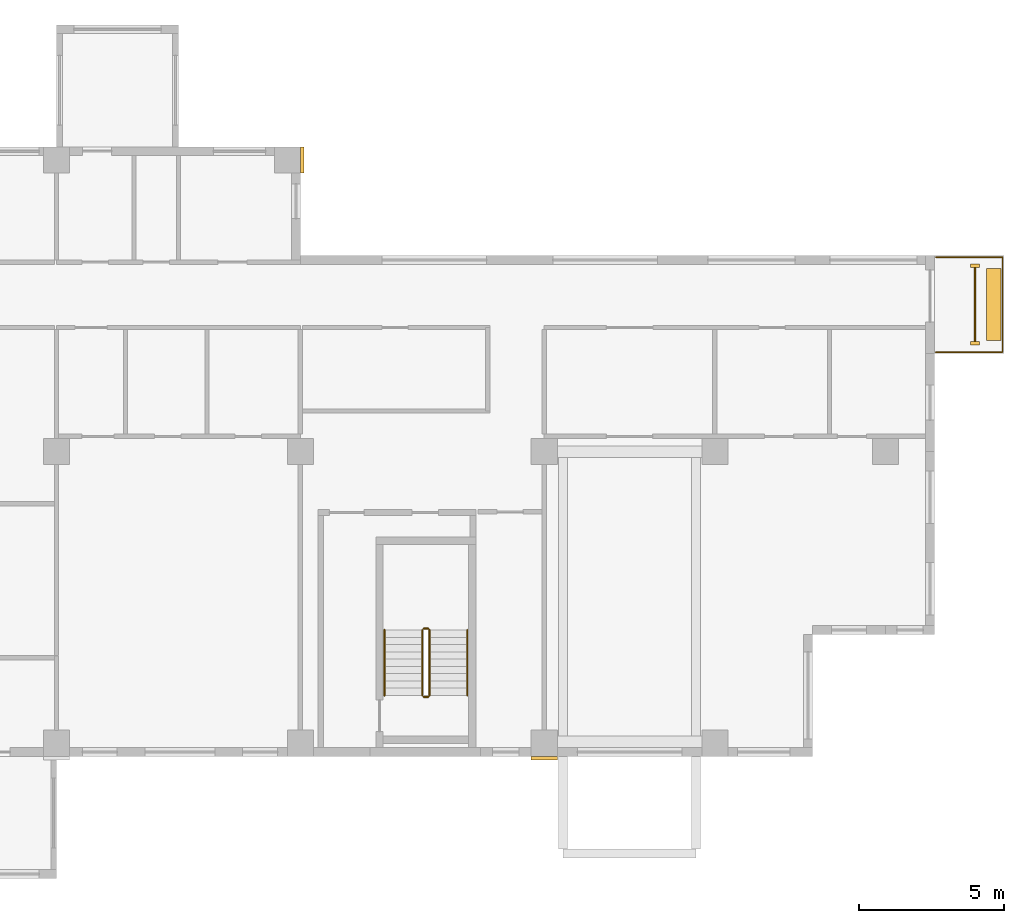
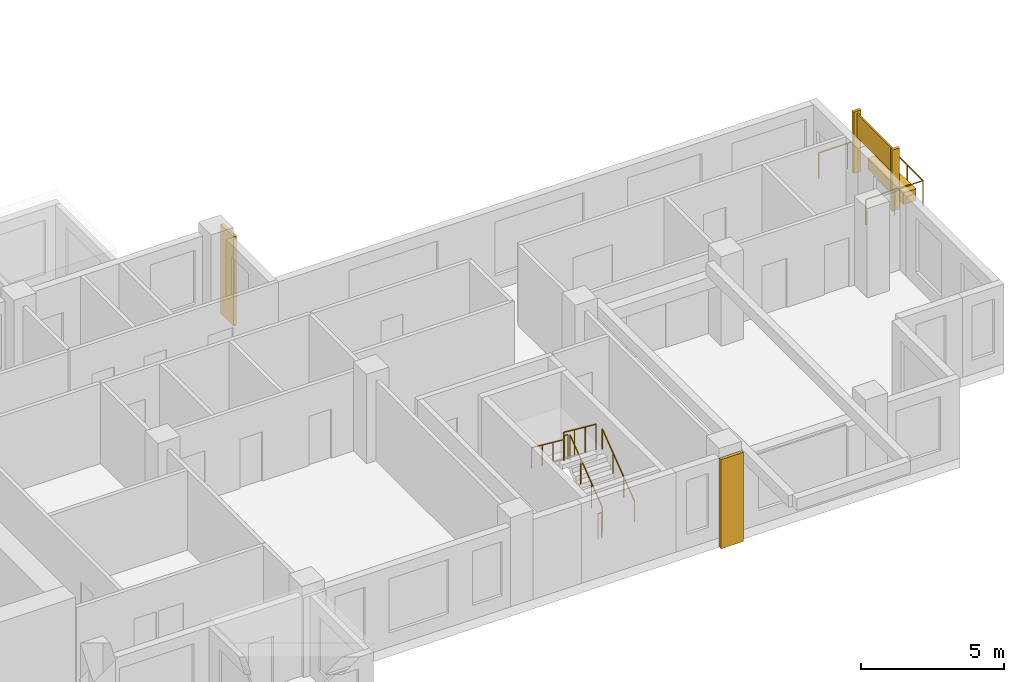
# One storey, part 11 of 12: 7 railings, 6 coverings.
"""IFC4 building model written with IfcOpenShell, lengths in metres."""

from ifc_helpers import new_model, si_unit, direction, frame, origin, origin_2d, place, context, subcontext, project, spatial, rectangle, circle, extrude, source, transform, mapped, material, type_object, element, save


model = new_model("IFC4")

# Units and contexts
model_context = context("Model", 3, precision=1e-05, world=origin(), true_north=direction((0.0, 1.0)))
body_context = subcontext(model_context, "Body", "Model", "MODEL_VIEW")
ifc_project = project(units=[si_unit("LENGTHUNIT", "METRE"), si_unit("AREAUNIT", "SQUARE_METRE"), si_unit("VOLUMEUNIT", "CUBIC_METRE"), si_unit("PLANEANGLEUNIT", "RADIAN"), si_unit("MASSUNIT", "GRAM", prefix="KILO")], contexts=[model_context])

# Site, building, storey
site_placement = place(None, origin())
site = spatial("IfcSite", under=ifc_project, at=site_placement, CompositionType="ELEMENT")
building_placement = place(site_placement, origin())
building = spatial("IfcBuilding", under=site, at=building_placement, Name="Aurelian Terraces", CompositionType="ELEMENT")
storey_placement = place(building_placement, frame((0.0, 0.0, 196.8)))
storey = spatial("IfcBuildingStorey", under=building, at=storey_placement, Name="L43", CompositionType="ELEMENT", Elevation=196.8)

# Coverings
ifc_material_1 = material(Name="Terracotta rainscreen cladding relief", Category="masonry")
covering_type_1 = type_object("IfcCoveringType", Name="FIN-TC", PredefinedType="CLADDING", material=ifc_material_1)
shared_shape_1 = source(origin(), body_context, "Body", "SweptSolid", [
    extrude(rectangle(XDim=0.3, YDim=0.12, at=origin_2d()), origin(), (0.0, 0.0, 1.0), 2.6),
])
for number, where, z_axis, x_axis, name in (
    (1, (61.04, 14.225, 0.0), (0.0, 0.0, 1.0), (1.0, 0.0, 0.0), "FIN L43 L43-F04-13.1"),
    (2, (61.04, 16.9, 0.0), (0.0, 0.0, 1.0), (1.0, 0.0, 0.0), "FIN L43 L43-F04-13.2"),
):
    element("IfcCovering", number, at=place(storey_placement, frame(where, z_axis=z_axis, x_axis=x_axis)), inside=storey, type_object=covering_type_1, Name=name, PredefinedType="CLADDING", context=body_context, shape_type="MappedRepresentation", body=[
        mapped(shared_shape_1, transform((0.0, 0.0, 0.0), scale=1.0)),
    ])
covering_type_2 = type_object("IfcCoveringType", Name="BAGUETTE-TC", PredefinedType="CLADDING", material=ifc_material_1)
shared_shape_2 = source(origin(), body_context, "Body", "SweptSolid", [
    extrude(rectangle(XDim=0.9, YDim=0.12, at=origin_2d()), origin(), (0.0, 0.0, 1.0), 3.8),
])
covering_1_placement = place(storey_placement, frame((46.2, -0.06, -0.4), z_axis=(0.0, 0.0, 1.0), x_axis=(1.0, 0.0, 0.0)))
element("IfcCovering", 3, at=covering_1_placement, inside=storey, type_object=covering_type_2, Name="BAGUETTE pier L43 3", PredefinedType="CLADDING", context=body_context, shape_type="MappedRepresentation", body=[
    mapped(shared_shape_2, transform((0.0, 0.0, 0.0), scale=1.0)),
])
shared_shape_3 = source(origin(), body_context, "Body", "SweptSolid", [
    extrude(rectangle(XDim=0.12, YDim=0.9, at=origin_2d()), origin(), (0.0, 0.0, 1.0), 3.8),
])
covering_2_placement = place(storey_placement, frame((37.86, 20.55, -0.4), z_axis=(0.0, 0.0, 1.0), x_axis=(1.0, 0.0, 0.0)))
element("IfcCovering", 4, at=covering_2_placement, inside=storey, type_object=covering_type_2, Name="BAGUETTE pier L43 6", PredefinedType="CLADDING", context=body_context, shape_type="MappedRepresentation", body=[
    mapped(shared_shape_3, transform((0.0, 0.0, 0.0), scale=1.0)),
])

# Railing
ifc_material_2 = material(Name="Anodised aluminium", Category="aluminium")
railing_type_1 = type_object("IfcRailingType", Name="GUARD-1100", PredefinedType="GUARDRAIL", material=ifc_material_2)
shared_shape_4 = source(origin(), body_context, "Body", "SweptSolid", [
    extrude(circle(Radius=0.024, at=origin_2d()), frame((0.0, 0.0, 1.076), z_axis=(1.0, 0.0, 0.0), x_axis=(0.0, 1.0, 0.0)), (0.0, 0.0, 1.0), 2.3),
    extrude(circle(Radius=0.024, at=origin_2d()), frame((2.3, 0.0, 1.076), z_axis=(0.0, 1.0, 0.0), x_axis=(-1.0, 0.0, 0.0)), (0.0, 0.0, 1.0), 3.275),
    extrude(circle(Radius=0.024, at=origin_2d()), frame((2.3, 3.275, 1.076), z_axis=(-1.0, 0.0, 0.0), x_axis=(0.0, -1.0, 0.0)), (0.0, 0.0, 1.0), 2.3),
    extrude(circle(Radius=0.021, at=origin_2d()), origin(), (0.0, 0.0, 1.0), 1.052),
    extrude(circle(Radius=0.021, at=origin_2d()), frame((1.15, 0.0, 0.0)), (0.0, 0.0, 1.0), 1.052),
    extrude(circle(Radius=0.021, at=origin_2d()), frame((2.3, 0.0, 0.0)), (0.0, 0.0, 1.0), 1.052),
    extrude(circle(Radius=0.021, at=origin_2d()), frame((2.3, 1.0917, 0.0)), (0.0, 0.0, 1.0), 1.052),
    extrude(circle(Radius=0.021, at=origin_2d()), frame((2.3, 2.1833, 0.0)), (0.0, 0.0, 1.0), 1.052),
    extrude(circle(Radius=0.021, at=origin_2d()), frame((2.3, 3.275, 0.0)), (0.0, 0.0, 1.0), 1.052),
    extrude(circle(Radius=0.021, at=origin_2d()), frame((1.15, 3.275, 0.0)), (0.0, 0.0, 1.0), 1.052),
    extrude(circle(Radius=0.021, at=origin_2d()), frame((0.0, 3.275, 0.0)), (0.0, 0.0, 1.0), 1.052),
])
railing_1_placement = place(storey_placement, frame((59.69, 13.925, 0.0)))
element("IfcRailing", 5, at=railing_1_placement, inside=storey, type_object=railing_type_1, Name="Balcony guard L43 F04.13", PredefinedType="GUARDRAIL", context=body_context, shape_type="MappedRepresentation", body=[
    mapped(shared_shape_4, transform((0.0, 0.0, 0.0), scale=1.0)),
])

# Coverings
ifc_material_3 = material(Name="Terracotta planter with planting soil", Category="masonry")
covering_type_3 = type_object("IfcCoveringType", Name="PLANTER-TROUGH", PredefinedType="USERDEFINED", material=ifc_material_3)
shared_shape_5 = source(origin(), body_context, "Body", "SweptSolid", [
    extrude(rectangle(XDim=0.5, YDim=2.475, at=origin_2d()), origin(), (0.0, 0.0, 1.0), 0.5),
])
covering_3_placement = place(storey_placement, frame((61.69, 15.5625, 0.0), z_axis=(0.0, 0.0, 1.0), x_axis=(1.0, 0.0, 0.0)))
element("IfcCovering", 6, at=covering_3_placement, inside=storey, type_object=covering_type_3, Name="PLANTER L43 L43-F04-13", ObjectType="PLANTER", PredefinedType="USERDEFINED", context=body_context, shape_type="MappedRepresentation", body=[
    mapped(shared_shape_5, transform((0.0, 0.0, 0.0), scale=1.0)),
])
ifc_material_4 = material(Name="Terracotta rainscreen cladding", Category="masonry")
covering_type_4 = type_object("IfcCoveringType", Name="SCREEN-TC", PredefinedType="CLADDING", material=ifc_material_4)
shared_shape_6 = source(origin(), body_context, "Body", "SweptSolid", [
    extrude(rectangle(XDim=0.06, YDim=2.555, at=origin_2d()), origin(), (0.0, 0.0, 1.0), 1.0),
])
covering_4_placement = place(storey_placement, frame((61.04, 15.5625, 1.5), z_axis=(0.0, 0.0, 1.0), x_axis=(1.0, 0.0, 0.0)))
element("IfcCovering", 7, at=covering_4_placement, inside=storey, type_object=covering_type_4, Name="SCREEN L43 L43-F04-13", PredefinedType="CLADDING", context=body_context, shape_type="MappedRepresentation", body=[
    mapped(shared_shape_6, transform((0.0, 0.0, 0.0), scale=1.0)),
])

# Railings
ifc_material_5 = material(Name="Stainless steel", Category="steel")
railing_type_2 = type_object("IfcRailingType", Name="Stair guard 1100", PredefinedType="GUARDRAIL", material=ifc_material_5)
shared_shape_7 = source(origin(), body_context, "Body", "SweptSolid", [
    extrude(circle(Radius=0.024, at=origin_2d()), frame((0.0, 0.0, 1.076), z_axis=(-1.0, 0.0, 0.0), x_axis=(0.0, -1.0, 0.0)), (0.0, 0.0, 1.0), 0.15),
    extrude(circle(Radius=0.021, at=origin_2d()), origin(), (0.0, 0.0, 1.0), 1.052),
    extrude(circle(Radius=0.021, at=origin_2d()), frame((-0.15, 0.0, 0.0)), (0.0, 0.0, 1.0), 1.052),
])
for number, where, name in (
    (8, (42.2, 4.4, 1.9), "L43 S2 stair guard 2"),
    (9, (42.2, 2.05, 0.0), "L43 S2 stair guard 4"),
):
    element("IfcRailing", number, at=place(storey_placement, frame(where)), inside=storey, type_object=railing_type_2, Name=name, PredefinedType="GUARDRAIL", context=body_context, shape_type="MappedRepresentation", body=[
        mapped(shared_shape_7, transform((0.0, 0.0, 0.0), scale=1.0)),
    ])
shared_shape_8 = source(origin(), body_context, "Body", "SweptSolid", [
    extrude(circle(Radius=0.024, at=origin_2d()), frame((0.0, 0.0, 1.076), z_axis=(0.0, 0.796162194123, 0.605083267534), x_axis=(-1.0, 0.0, 0.0)), (0.0, 0.0, 1.0), 2.8261),
    extrude(circle(Radius=0.021, at=origin_2d()), origin(), (0.0, 0.0, 1.0), 1.052),
    extrude(circle(Radius=0.021, at=origin_2d()), frame((0.0, 0.75, 0.57)), (0.0, 0.0, 1.0), 1.052),
    extrude(circle(Radius=0.021, at=origin_2d()), frame((0.0, 1.5, 1.14)), (0.0, 0.0, 1.0), 1.052),
    extrude(circle(Radius=0.021, at=origin_2d()), frame((0.0, 2.25, 1.71)), (0.0, 0.0, 1.0), 1.052),
])
railing_2_placement = place(storey_placement, frame((42.25, 2.1, 0.19)))
element("IfcRailing", 10, at=railing_2_placement, inside=storey, type_object=railing_type_2, Name="L43 S2 stair guard 1", PredefinedType="GUARDRAIL", context=body_context, shape_type="MappedRepresentation", body=[
    mapped(shared_shape_8, transform((0.0, 0.0, 0.0), scale=1.0)),
])
shared_shape_9 = source(origin(), body_context, "Body", "SweptSolid", [
    extrude(circle(Radius=0.024, at=origin_2d()), frame((0.0, 0.0, 1.076), z_axis=(0.0, -0.796162194123, 0.605083267534), x_axis=(1.0, 0.0, 0.0)), (0.0, 0.0, 1.0), 2.8261),
    extrude(circle(Radius=0.021, at=origin_2d()), origin(), (0.0, 0.0, 1.0), 1.052),
    extrude(circle(Radius=0.021, at=origin_2d()), frame((0.0, -0.75, 0.57)), (0.0, 0.0, 1.0), 1.052),
    extrude(circle(Radius=0.021, at=origin_2d()), frame((0.0, -1.5, 1.14)), (0.0, 0.0, 1.0), 1.052),
    extrude(circle(Radius=0.021, at=origin_2d()), frame((0.0, -2.25, 1.71)), (0.0, 0.0, 1.0), 1.052),
])
railing_3_placement = place(storey_placement, frame((42.0, 4.35, 2.09)))
element("IfcRailing", 11, at=railing_3_placement, inside=storey, type_object=railing_type_2, Name="L43 S2 stair guard 3", PredefinedType="GUARDRAIL", context=body_context, shape_type="MappedRepresentation", body=[
    mapped(shared_shape_9, transform((0.0, 0.0, 0.0), scale=1.0)),
])
railing_type_3 = type_object("IfcRailingType", Name="Stair handrail", PredefinedType="HANDRAIL", material=ifc_material_5)
shared_shape_10 = source(origin(), body_context, "Body", "SweptSolid", [
    extrude(circle(Radius=0.024, at=origin_2d()), frame((0.0, 0.0, 0.876), z_axis=(0.0, 0.796162194123, 0.605083267534), x_axis=(-1.0, 0.0, 0.0)), (0.0, 0.0, 1.0), 2.8261),
    extrude(circle(Radius=0.021, at=origin_2d()), origin(), (0.0, 0.0, 1.0), 0.852),
    extrude(circle(Radius=0.021, at=origin_2d()), frame((0.0, 0.75, 0.57)), (0.0, 0.0, 1.0), 0.852),
    extrude(circle(Radius=0.021, at=origin_2d()), frame((0.0, 1.5, 1.14)), (0.0, 0.0, 1.0), 0.852),
    extrude(circle(Radius=0.021, at=origin_2d()), frame((0.0, 2.25, 1.71)), (0.0, 0.0, 1.0), 0.852),
])
railing_4_placement = place(storey_placement, frame((43.55, 2.1, 0.19)))
element("IfcRailing", 12, at=railing_4_placement, inside=storey, type_object=railing_type_3, Name="L43 S2 stair handrail 1", PredefinedType="HANDRAIL", context=body_context, shape_type="MappedRepresentation", body=[
    mapped(shared_shape_10, transform((0.0, 0.0, 0.0), scale=1.0)),
])
shared_shape_11 = source(origin(), body_context, "Body", "SweptSolid", [
    extrude(circle(Radius=0.024, at=origin_2d()), frame((0.0, 0.0, 0.876), z_axis=(0.0, -0.796162194123, 0.605083267534), x_axis=(1.0, 0.0, 0.0)), (0.0, 0.0, 1.0), 2.8261),
    extrude(circle(Radius=0.021, at=origin_2d()), origin(), (0.0, 0.0, 1.0), 0.852),
    extrude(circle(Radius=0.021, at=origin_2d()), frame((0.0, -0.75, 0.57)), (0.0, 0.0, 1.0), 0.852),
    extrude(circle(Radius=0.021, at=origin_2d()), frame((0.0, -1.5, 1.14)), (0.0, 0.0, 1.0), 0.852),
    extrude(circle(Radius=0.021, at=origin_2d()), frame((0.0, -2.25, 1.71)), (0.0, 0.0, 1.0), 0.852),
])
railing_5_placement = place(storey_placement, frame((40.7, 4.35, 2.09)))
element("IfcRailing", 13, at=railing_5_placement, inside=storey, type_object=railing_type_3, Name="L43 S2 stair handrail 2", PredefinedType="HANDRAIL", context=body_context, shape_type="MappedRepresentation", body=[
    mapped(shared_shape_11, transform((0.0, 0.0, 0.0), scale=1.0)),
])

save(model, "model.ifc")
